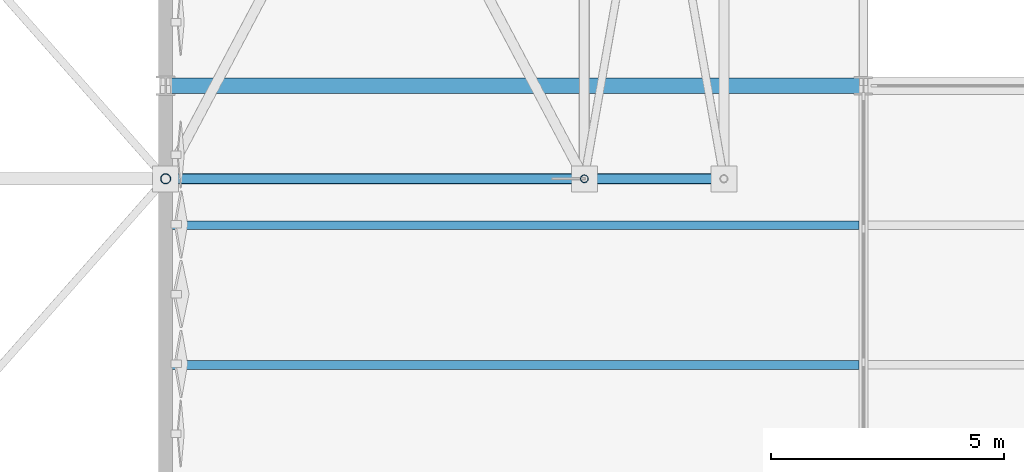
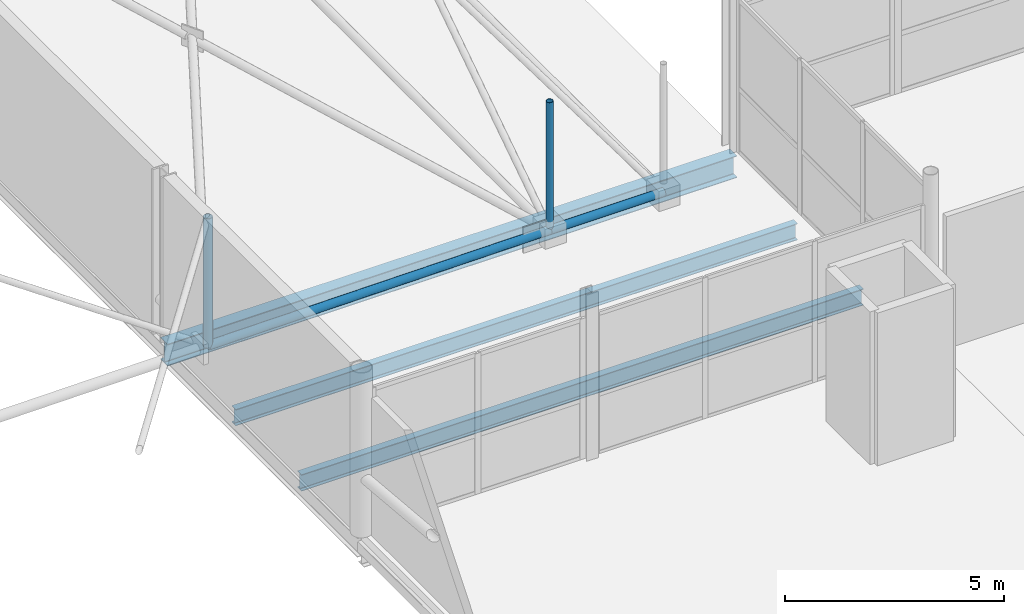
# One storey, part 132 of 224: 4 members, 3 beams.
"""IFC4 building model written with IfcOpenShell, lengths in metres."""

from ifc_helpers import new_model, si_unit, direction, frame, origin, origin_2d, place, context, subcontext, project, spatial, hollow_circle, i_section, extrude, material, material_profile, profile_set, type_object, element, save


model = new_model("IFC4")

# Units and contexts
model_context = context("Model", 3, precision=1e-05, world=origin(), true_north=direction((0.0, 1.0)))
body_context = subcontext(model_context, "Body", "Model", "MODEL_VIEW")
ifc_project = project(units=[si_unit("LENGTHUNIT", "METRE"), si_unit("AREAUNIT", "SQUARE_METRE"), si_unit("VOLUMEUNIT", "CUBIC_METRE"), si_unit("PLANEANGLEUNIT", "RADIAN"), si_unit("MASSUNIT", "GRAM", prefix="KILO")], contexts=[model_context])

# Site, building, storey
site_placement = place(None, origin())
site = spatial("IfcSite", under=ifc_project, at=site_placement, CompositionType="ELEMENT")
building_placement = place(site_placement, origin())
building = spatial("IfcBuilding", under=site, at=building_placement, Name="Qamarlyn Nura Convention Centre", CompositionType="ELEMENT")
storey_placement = place(building_placement, frame((0.0, 0.0, 10.800048828125)))
storey = spatial("IfcBuildingStorey", under=building, at=storey_placement, Name="L02", CompositionType="ELEMENT", Elevation=10.800048828125)

# Beams
ifc_material_1 = material(Name="Steel ASTM A992", Category="steel")
ifc_material_profile_1 = material_profile(ifc_material_1, i_section(OverallWidth=0.323974609375, OverallDepth=0.611083984375, WebThickness=0.0126953125, FlangeThickness=0.01904296875, FilletRadius=0.01611328125, at=origin_2d()), Name="W610X155")
ifc_profile_set_1 = profile_set([ifc_material_profile_1], Name="Steel ASTM A992")
beam_type_1 = type_object("IfcBeamType", Name="BM-GIRD-610", PredefinedType="BEAM", material=ifc_profile_set_1)
beam_placement = place(storey_placement, frame((120.0, 54.0, -0.450439453125), z_axis=(1.0, 0.0, 0.0), x_axis=(0.0, 1.0, 0.0)))
element("IfcBeam", 1, at=beam_placement, inside=storey, type_object=beam_type_1, Name="L02 girder G 9-11", PredefinedType="BEAM", context=body_context, shape_type="SweptSolid", body=[
    extrude(i_section(OverallWidth=0.323974609375, OverallDepth=0.611083984375, WebThickness=0.0126953125, FlangeThickness=0.01904296875, FilletRadius=0.01611328125, at=origin_2d()), origin(), (0.0, 0.0, 1.0), 15.0),
])
ifc_material_profile_2 = material_profile(ifc_material_1, i_section(OverallWidth=0.18994140625, OverallDepth=0.45703125, WebThickness=0.009033203125, FlangeThickness=0.014404296875, FilletRadius=0.012939453125, at=origin_2d()), Name="W460X74")
ifc_profile_set_2 = profile_set([ifc_material_profile_2], Name="Steel ASTM A992")
beam_type_2 = type_object("IfcBeamType", Name="BM-JOIST-460", PredefinedType="JOIST", material=ifc_profile_set_2)
for number, where, z_axis, x_axis, name in (
    (2, (120.10546875, 48.0, -0.448486328125), (1.0, 0.0, 0.0), (0.0, 1.0, 0.0), "L02 composite joist 9-11/F+1"),
    (3, (120.10546875, 51.0, -0.448486328125), (1.0, 0.0, 0.0), (0.0, 1.0, 0.0), "L02 composite joist 9-11/F+2"),
):
    element("IfcBeam", number, at=place(storey_placement, frame(where, z_axis=z_axis, x_axis=x_axis)), inside=storey, type_object=beam_type_2, Name=name, PredefinedType="JOIST", context=body_context, shape_type="SweptSolid", body=[
        extrude(i_section(OverallWidth=0.18994140625, OverallDepth=0.45703125, WebThickness=0.009033203125, FlangeThickness=0.014404296875, FilletRadius=0.012939453125, at=origin_2d()), origin(), (0.0, 0.0, 1.0), 14.798095703125),
    ])

# Members
ifc_material_2 = material(Name="Pearl-white PVDF steel ASTM A500 Grade C", Category="steel")
ifc_material_profile_3 = material_profile(ifc_material_2, hollow_circle(Radius=0.109619140625, WallThickness=0.010009765625, at=origin_2d()), Name="CHS219.1X10")
ifc_profile_set_3 = profile_set([ifc_material_profile_3], Name="Pearl-white PVDF steel ASTM A500 Grade C")
member_type_1 = type_object("IfcMemberType", Name="SF-BC-EAVE", PredefinedType="CHORD", material=ifc_profile_set_3)
member_1_placement = place(storey_placement, frame((120.0, 52.0, 0.937255859375), z_axis=(0.999971155543, 0.0, 0.007595267023), x_axis=(0.0, 1.0, 0.0)))
element("IfcMember", 4, at=member_1_placement, inside=storey, type_object=member_type_1, Name="ROOF TRUSS space frame bottom chord X10-4", PredefinedType="CHORD", context=body_context, shape_type="SweptSolid", body=[
    extrude(hollow_circle(Radius=0.109619140625, WallThickness=0.010009765625, at=origin_2d()), origin(), (0.0, 0.0, 1.0), 9.000244140625),
])
member_2_placement = place(storey_placement, frame((129.0, 52.0, 1.005615234375), z_axis=(0.999998539689, 0.0, 0.001708981879), x_axis=(0.0, 1.0, 0.0)))
element("IfcMember", 5, at=member_2_placement, inside=storey, type_object=member_type_1, Name="ROOF TRUSS space frame bottom chord X11-4", PredefinedType="CHORD", context=body_context, shape_type="SweptSolid", body=[
    extrude(hollow_circle(Radius=0.109619140625, WallThickness=0.010009765625, at=origin_2d()), origin(), (0.0, 0.0, 1.0), 3.0),
])
ifc_material_profile_4 = material_profile(ifc_material_2, hollow_circle(Radius=0.109619140625, WallThickness=0.010009765625, at=origin_2d()), Name="CHS219.1X10")
ifc_profile_set_4 = profile_set([ifc_material_profile_4], Name="Pearl-white PVDF steel ASTM A500 Grade C")
member_type_2 = type_object("IfcMemberType", Name="SF-WEB-HVY", PredefinedType="BRACE", material=ifc_profile_set_4)
member_3_placement = place(storey_placement, frame((120.0, 52.0, 0.937255859375), z_axis=(0.0, 0.0, 1.0), x_axis=(1.0, 0.0, 0.0)))
element("IfcMember", 6, at=member_3_placement, inside=storey, type_object=member_type_2, Name="ROOF TRUSS space frame vertical 10-4", PredefinedType="BRACE", context=body_context, shape_type="SweptSolid", body=[
    extrude(hollow_circle(Radius=0.109619140625, WallThickness=0.010009765625, at=origin_2d()), origin(), (0.0, 0.0, 1.0), 3.60009765625),
])
ifc_material_profile_5 = material_profile(ifc_material_2, hollow_circle(Radius=0.084228515625, WallThickness=0.008056640625, at=origin_2d()), Name="CHS168.3X8")
ifc_profile_set_5 = profile_set([ifc_material_profile_5], Name="Pearl-white PVDF steel ASTM A500 Grade C")
member_type_3 = type_object("IfcMemberType", Name="SF-WEB-STD", PredefinedType="BRACE", material=ifc_profile_set_5)
member_4_placement = place(storey_placement, frame((129.0, 52.0, 1.005615234375), z_axis=(0.0, 0.0, 1.0), x_axis=(1.0, 0.0, 0.0)))
element("IfcMember", 7, at=member_4_placement, inside=storey, type_object=member_type_3, Name="ROOF TRUSS space frame vertical 11-4", PredefinedType="BRACE", context=body_context, shape_type="SweptSolid", body=[
    extrude(hollow_circle(Radius=0.084228515625, WallThickness=0.008056640625, at=origin_2d()), origin(), (0.0, 0.0, 1.0), 3.599853515625),
])

save(model, "model.ifc")
